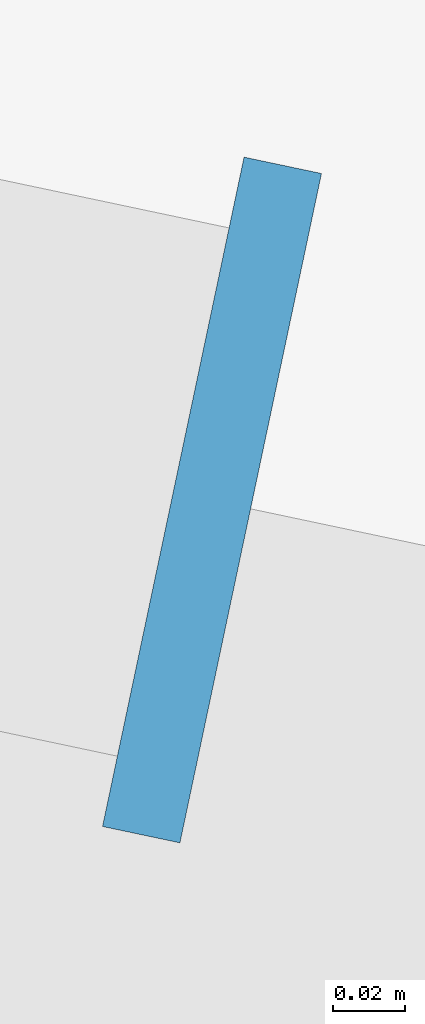
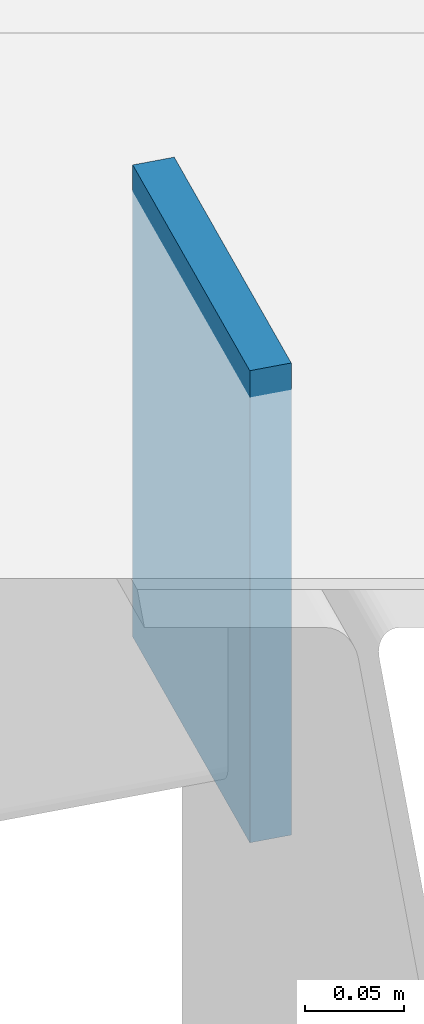
# One storey, part 43 of 90: 1 plate.
"""IFC4 building model written with IfcOpenShell, lengths in metres."""

from ifc_helpers import new_model, si_unit, direction, frame, origin, origin_2d, place, context, subcontext, project, spatial, rectangle, extrude, material, layer, layer_set, type_object, element, save


model = new_model("IFC4")

# Units and contexts
model_context = context("Model", 3, precision=1e-05, world=origin(), true_north=direction((0.0, 1.0)))
body_context = subcontext(model_context, "Body", "Model", "MODEL_VIEW")
ifc_project = project(units=[si_unit("LENGTHUNIT", "METRE"), si_unit("AREAUNIT", "SQUARE_METRE"), si_unit("VOLUMEUNIT", "CUBIC_METRE"), si_unit("PLANEANGLEUNIT", "RADIAN"), si_unit("MASSUNIT", "GRAM", prefix="KILO")], contexts=[model_context])

# Site, building, storey
site_placement = place(None, origin())
site = spatial("IfcSite", under=ifc_project, at=site_placement, CompositionType="ELEMENT")
building_placement = place(site_placement, origin())
building = spatial("IfcBuilding", under=site, at=building_placement, Name="Wrenclough Park School", CompositionType="ELEMENT")
storey_placement = place(building_placement, frame((0.0, 0.0, 8.39990234375)))
storey = spatial("IfcBuildingStorey", under=building, at=storey_placement, Name="L02", CompositionType="ELEMENT", Elevation=8.39990234375)

# Plate
ifc_material = material(Name="Structural steel S355", Category="steel")
ifc_layer = layer(ifc_material, 0.2900390625)
ifc_layer_set = layer_set([ifc_layer], Name="Structural steel S355")
plate_type = type_object("IfcPlateType", Name="STR-PL-EP250", PredefinedType="SHEET", material=ifc_layer_set)
plate_placement = place(storey_placement, frame((129.71826171875, 39.564453125, -0.5), z_axis=(0.0, 0.0, 1.0), x_axis=(0.978364788978, -0.206887263232, 0.0)))
element("IfcPlate", 1, at=plate_placement, inside=storey, type_object=plate_type, Name="W12 eave fascia L4 end sealing end-cap plate", PredefinedType="SHEET", context=body_context, shape_type="SweptSolid", body=[
    extrude(rectangle(XDim=0.02197265625, YDim=0.18994140625, at=origin_2d()), origin(), (0.0, 0.0, 1.0), 0.2900390625),
])

save(model, "model.ifc")
